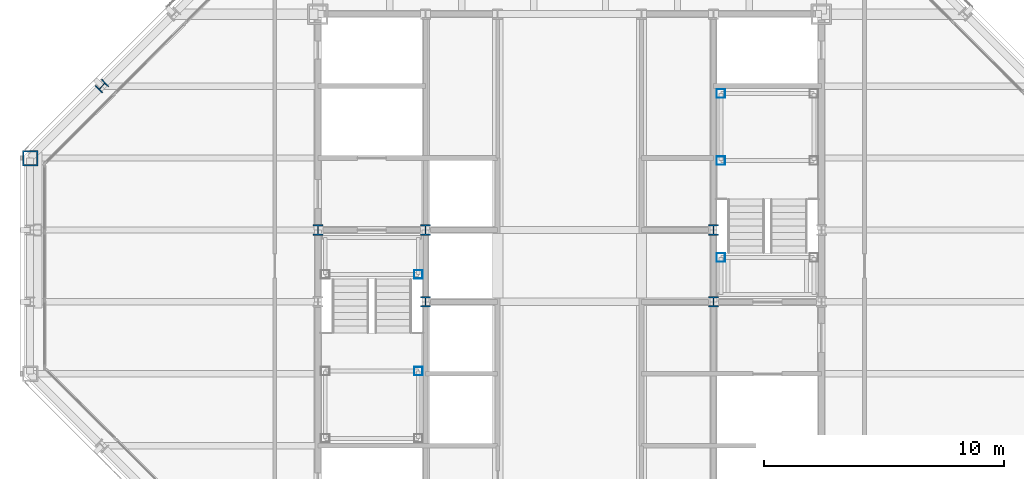
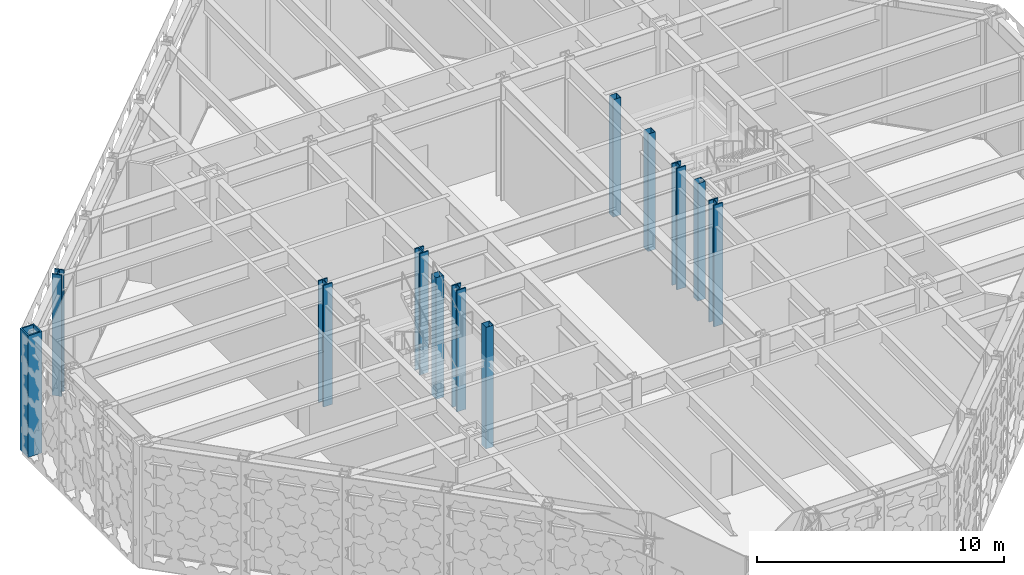
# One storey, part 2 of 28: 12 columns.
"""IFC4 building model written with IfcOpenShell, lengths in metres."""

import ifcopenshell
import ifcopenshell.guid

model = None  # the IFC model being written
_history = None  # IfcOwnerHistory: only IFC2X3 demands one
_inside = {}  # id of a spatial element -> (the spatial element, [elements in it])
_under = {}  # id of a project, library or spatial element -> (it, [spatial elements below it])
_declared = {}  # id of a project -> (the project, [libraries it declares])
_typed = {}  # id of a type object -> (the type object, [elements of that type])
_made_of = {}  # id of a material, layer set ... -> (it, [elements and type objects made of it])


def new_model(schema):
    """Start an empty IFC model of exactly this schema.

    Asked for "IFC4X3", IfcOpenShell would pick the latest addendum, in which some entities
    have other attributes; the version numbers below select the first issue.
    IFC2X3 requires an IfcOwnerHistory on every rooted entity: one is made here for all.
    """
    global model, _history
    if schema == "IFC4X3":
        model = ifcopenshell.file(schema_version=(4, 3, 0, 0))
    else:
        model = ifcopenshell.file(schema=schema)
    _inside.clear()
    _under.clear()
    _declared.clear()
    _typed.clear()
    _made_of.clear()
    _history = None
    if model.schema == "IFC2X3":
        org = make("IfcOrganization", Name="unknown")
        user = make(
            "IfcPersonAndOrganization",
            ThePerson=make("IfcPerson", FamilyName="unknown"),
            TheOrganization=org,
        )
        app = make(
            "IfcApplication",
            ApplicationDeveloper=org,
            Version="unknown",
            ApplicationFullName="unknown",
            ApplicationIdentifier="unknown",
        )
        _history = make(
            "IfcOwnerHistory",
            OwningUser=user,
            OwningApplication=app,
            ChangeAction="ADDED",
            CreationDate=0,
        )
    return model


def make(cls, **values):
    """One entity of the class cls with the attributes given. An attribute that is None is left unset."""
    return model.create_entity(
        cls, **{name: value for name, value in values.items() if value is not None}
    )


def rooted(cls, **values):
    """An entity with a GlobalId (a new one), such as an element, a storey or a relation."""
    return make(cls, GlobalId=ifcopenshell.guid.new(), OwnerHistory=_history, **values)


def si_unit(unit_type, name, prefix=None):
    """IfcSIUnit, for example si_unit("LENGTHUNIT", "METRE", prefix="MILLI")."""
    return make("IfcSIUnit", UnitType=unit_type, Prefix=prefix, Name=name)


def assignment(units):
    """IfcUnitAssignment: the units of a project."""
    return None if units is None else make("IfcUnitAssignment", Units=units)


def point(xyz):
    """IfcCartesianPoint."""
    return None if xyz is None else make("IfcCartesianPoint", Coordinates=xyz)


def direction(xyz):
    """IfcDirection."""
    return None if xyz is None else make("IfcDirection", DirectionRatios=xyz)


def frame(location, z_axis=None, x_axis=None):
    """IfcAxis2Placement3D, a coordinate frame: its origin and axes. An axis left out is left unset."""
    return make(
        "IfcAxis2Placement3D",
        Location=point(location),
        Axis=direction(z_axis),
        RefDirection=direction(x_axis),
    )


def frame_2d(location, x_axis=None):
    """IfcAxis2Placement2D, a coordinate frame in the plane: its origin and x axis."""
    return make(
        "IfcAxis2Placement2D", Location=point(location), RefDirection=direction(x_axis)
    )


def origin():
    """The frame at (0, 0, 0) with its axes left unset."""
    return frame((0.0, 0.0, 0.0))


def origin_2d():
    """The frame at (0, 0) in the plane with its x axis left unset."""
    return frame_2d((0.0, 0.0))


def place(relative_to, where):
    """IfcLocalPlacement: puts the frame where relative to a parent placement (None: the world)."""
    return make(
        "IfcLocalPlacement", PlacementRelTo=relative_to, RelativePlacement=where
    )


def context(
    kind, dimensions, precision=None, world=None, true_north=None, identifier=None
):
    """IfcGeometricRepresentationContext, for example the 3D "Model" context."""
    return make(
        "IfcGeometricRepresentationContext",
        ContextIdentifier=identifier,
        ContextType=kind,
        CoordinateSpaceDimension=dimensions,
        Precision=precision,
        WorldCoordinateSystem=world,
        TrueNorth=true_north,
    )


def subcontext(parent, identifier, kind, view, scale=None):
    """IfcGeometricRepresentationSubContext, for example "Body" below "Model"."""
    return make(
        "IfcGeometricRepresentationSubContext",
        ContextIdentifier=identifier,
        ContextType=kind,
        ParentContext=parent,
        TargetScale=scale,
        TargetView=view,
    )


def project(units=None, contexts=None):
    """IfcProject with its units and contexts."""
    return rooted(
        "IfcProject",
        Name="project",
        RepresentationContexts=contexts,
        UnitsInContext=assignment(units),
    )


def spatial(cls, under=None, at=None, **own):
    """A site, building, storey or space (cls), placed at a placement, below another one or the project."""
    s = rooted(cls, ObjectPlacement=at, **own)
    if under is not None:
        _under.setdefault(under.id(), (under, []))[1].append(s)
    return s


def profile(cls, at=None, kind="AREA", **sizes):
    """A parametric profile (cls). Its sizes go by their IFC names, for example OverallWidth=200.0."""
    return make(cls, ProfileType=kind, Position=at, **sizes)


def hollow_rectangle(**sizes):
    """IfcRectangleHollowProfileDef."""
    return profile("IfcRectangleHollowProfileDef", **sizes)


def i_section(**sizes):
    """IfcIShapeProfileDef."""
    return profile("IfcIShapeProfileDef", **sizes)


def extrude(swept, where, along, depth):
    """IfcExtrudedAreaSolid: the profile swept, set in the frame where, extruded along a direction by depth."""
    return make(
        "IfcExtrudedAreaSolid",
        SweptArea=swept,
        Position=where,
        ExtrudedDirection=direction(along),
        Depth=depth,
    )


def shape(context_of_items, identifier, shape_type, items):
    """IfcShapeRepresentation: the items that make up one representation, for example the "Body"."""
    return make(
        "IfcShapeRepresentation",
        ContextOfItems=context_of_items,
        RepresentationIdentifier=identifier,
        RepresentationType=shape_type,
        Items=items,
    )


def material(Name=None, Category=None):
    """IfcMaterial."""
    return make("IfcMaterial", Name=Name, Category=Category)


def material_profile(
    of_material, cross_section, Name=None, Category=None, Priority=None
):
    """IfcMaterialProfile: a cross section and its material."""
    return make(
        "IfcMaterialProfile",
        Name=Name,
        Material=of_material,
        Profile=cross_section,
        Priority=Priority,
        Category=Category,
    )


def profile_set(profiles, Name=None, composite=None):
    """IfcMaterialProfileSet."""
    return make(
        "IfcMaterialProfileSet",
        Name=Name,
        MaterialProfiles=profiles,
        CompositeProfile=composite,
    )


def made_of(thing, what):
    """Note that an element or type object is made of a material, layer set ...; save() writes the relation."""
    if what is not None:
        _made_of.setdefault(what.id(), (what, []))[1].append(thing)
    return thing


def type_object(cls, material=None, **own):
    """A type object (cls), such as IfcWallType, which elements share."""
    return made_of(rooted(cls, **own), material)


def element(
    cls,
    number,
    at=None,
    inside=None,
    cuts=None,
    type_object=None,
    material=None,
    context=None,
    identifier="Body",
    shape_type=None,
    held_by="IfcProductDefinitionShape",
    body=None,
    shapes=None,
    **own,
):
    """One element of the class cls, such as IfcWall. Its Tag is "e" and its number.

    at: its placement. inside: the storey or other place that contains it. cuts: it is an
    opening in that element (IfcRelVoidsElement). A single representation is given by context,
    identifier, shape_type and body (its items); several are given by shapes. held_by: the class
    of the entity that holds the representations. save() writes the other relations.
    """
    e = rooted(cls, Tag="e%d" % number, ObjectPlacement=at, **own)
    if body is not None:
        shapes = [shape(context, identifier, shape_type, body)]
    if shapes is not None:
        e.Representation = make(held_by, Representations=shapes)
    if inside is not None:
        _inside.setdefault(inside.id(), (inside, []))[1].append(e)
    if cuts is not None:
        rooted(
            "IfcRelVoidsElement", RelatingBuildingElement=cuts, RelatedOpeningElement=e
        )
    if type_object is not None:
        _typed.setdefault(type_object.id(), (type_object, []))[1].append(e)
    return made_of(e, material)


def aggregate(whole, parts):
    """IfcRelAggregates: a whole, such as a stair, and the parts it consists of."""
    return rooted("IfcRelAggregates", RelatingObject=whole, RelatedObjects=parts)


def save(model, path):
    """Write the relations noted so far, then the file.

    IfcRelAggregates (storeys below a building ...), IfcRelContainedInSpatialStructure (elements
    in a storey), IfcRelDefinesByType, IfcRelAssociatesMaterial and IfcRelDeclares: one each for
    every whole, place, type object, material and project.
    """
    for whole, parts in _under.values():
        aggregate(whole, parts)
    for where, things in _inside.values():
        rooted(
            "IfcRelContainedInSpatialStructure",
            RelatedElements=things,
            RelatingStructure=where,
        )
    for kind, things in _typed.values():
        rooted("IfcRelDefinesByType", RelatedObjects=things, RelatingType=kind)
    for what, things in _made_of.values():
        rooted("IfcRelAssociatesMaterial", RelatedObjects=things, RelatingMaterial=what)
    for by, libraries in _declared.values():
        rooted("IfcRelDeclares", RelatingContext=by, RelatedDefinitions=libraries)
    model.write(path)


model = new_model("IFC4")

# Units and contexts
model_context = context("Model", 3, precision=1e-05, world=origin(), true_north=direction((0.0, 1.0)))
body_context = subcontext(model_context, "Body", "Model", "MODEL_VIEW")
ifc_project = project(units=[si_unit("LENGTHUNIT", "METRE"), si_unit("AREAUNIT", "SQUARE_METRE"), si_unit("VOLUMEUNIT", "CUBIC_METRE"), si_unit("PLANEANGLEUNIT", "RADIAN"), si_unit("MASSUNIT", "GRAM", prefix="KILO")], contexts=[model_context])

# Site, building, storey
site_placement = place(None, origin())
site = spatial("IfcSite", under=ifc_project, at=site_placement, CompositionType="ELEMENT")
building_placement = place(site_placement, origin())
building = spatial("IfcBuilding", under=site, at=building_placement, Name="Chuquiago Exchange Tower", CompositionType="ELEMENT")
storey_placement = place(building_placement, frame((0.0, 0.0, 300.0)))
storey = spatial("IfcBuildingStorey", under=building, at=storey_placement, Name="L67", CompositionType="ELEMENT", Elevation=300.0)

# Columns
ifc_material_1 = material(Name="Steel ASTM A992", Category="steel")
ifc_material_profile_1 = material_profile(ifc_material_1, i_section(OverallWidth=0.41650390625, OverallDepth=0.444580078125, WebThickness=0.0390625, FlangeThickness=0.062744140625, at=origin_2d()), Name="W14X342")
ifc_profile_set_1 = profile_set([ifc_material_profile_1], Name="Steel ASTM A992")
column_type_1 = type_object("IfcColumnType", Name="CC9 W14X342", PredefinedType="COLUMN", material=ifc_profile_set_1)
for number, where, z_axis, x_axis, name in (
    (1, (12.0, 24.0, 0.0), (0.0, 0.0, 1.0), (1.0, 0.0, 0.0), "CCOL-L67-12_24"),
    (2, (16.5, 21.0, 0.0), (0.0, 0.0, 1.0), (1.0, 0.0, 0.0), "CCOL-L67-16.5_21"),
    (3, (16.5, 24.0, 0.0), (0.0, 0.0, 1.0), (1.0, 0.0, 0.0), "CCOL-L67-16.5_24"),
    (4, (28.5, 21.0, 0.0), (0.0, 0.0, 1.0), (1.0, 0.0, 0.0), "CCOL-L67-28.5_21"),
    (5, (28.5, 24.0, 0.0), (0.0, 0.0, 1.0), (1.0, 0.0, 0.0), "CCOL-L67-28.5_24"),
):
    element("IfcColumn", number, at=place(storey_placement, frame(where, z_axis=z_axis, x_axis=x_axis)), inside=storey, type_object=column_type_1, Name=name, PredefinedType="COLUMN", context=body_context, shape_type="SweptSolid", body=[
        extrude(i_section(OverallWidth=0.41650390625, OverallDepth=0.444580078125, WebThickness=0.0390625, FlangeThickness=0.062744140625, at=origin_2d()), origin(), (0.0, 0.0, 1.0), 6.0),
    ])
ifc_material_2 = material(Name="Steel ASTM A992", Category="steel")
ifc_material_profile_2 = material_profile(ifc_material_2, i_section(OverallWidth=0.40380859375, OverallDepth=0.406494140625, WebThickness=0.027099609375, FlangeThickness=0.043701171875, at=origin_2d()), Name="W14X233")
ifc_profile_set_2 = profile_set([ifc_material_profile_2], Name="Steel ASTM A992")
column_type_2 = type_object("IfcColumnType", Name="CK8 W14X233", PredefinedType="COLUMN", material=ifc_profile_set_2)
column_1_placement = place(storey_placement, frame((3.0, 30.0, 0.0), z_axis=(0.0, 0.0, 1.0), x_axis=(-0.707106781187, 0.707106781187, 0.0)))
element("IfcColumn", 6, at=column_1_placement, inside=storey, type_object=column_type_2, Name="COL-L67-3_30", PredefinedType="COLUMN", context=body_context, shape_type="SweptSolid", body=[
    extrude(i_section(OverallWidth=0.40380859375, OverallDepth=0.406494140625, WebThickness=0.027099609375, FlangeThickness=0.043701171875, at=origin_2d()), origin(), (0.0, 0.0, 1.0), 6.0),
])
ifc_material_3 = material(Name="Steel ASTM A572 Grade 50", Category="steel")
ifc_material_profile_3 = material_profile(ifc_material_3, hollow_rectangle(XDim=0.64990234375, YDim=0.64990234375, WallThickness=0.06494140625, at=origin_2d()), Name="BOX650X650X65")
ifc_profile_set_3 = profile_set([ifc_material_profile_3], Name="Steel ASTM A572 Grade 50")
column_type_3 = type_object("IfcColumnType", Name="CN2 BOX650X650X65", PredefinedType="COLUMN", material=ifc_profile_set_3)
column_2_placement = place(storey_placement, frame((0.0, 27.0, 0.0), z_axis=(0.0, 0.0, 1.0), x_axis=(-1.0, 0.0, 0.0)))
element("IfcColumn", 7, at=column_2_placement, inside=storey, type_object=column_type_3, Name="COL-L67-0_27", PredefinedType="COLUMN", context=body_context, shape_type="SweptSolid", body=[
    extrude(hollow_rectangle(XDim=0.64990234375, YDim=0.64990234375, WallThickness=0.06494140625, at=origin_2d()), origin(), (0.0, 0.0, 1.0), 6.0),
])
ifc_material_4 = material(Name="Steel ASTM A500 Grade C", Category="steel")
ifc_material_profile_4 = material_profile(ifc_material_4, hollow_rectangle(XDim=0.355712890625, YDim=0.355712890625, WallThickness=0.0087890625, at=origin_2d()), Name="HSS14X14X3/8")
ifc_profile_set_4 = profile_set([ifc_material_profile_4], Name="Steel ASTM A500 Grade C")
column_type_4 = type_object("IfcColumnType", Name="PT1 HSS14X14X3/8", PredefinedType="COLUMN", material=ifc_profile_set_4)
for number, where, z_axis, x_axis, name in (
    (8, (16.18994140625, 18.110107421875, 0.0), (0.0, 0.0, 1.0), (1.0, 0.0, 0.0), "Stair ST1 L67 landing post"),
    (9, (16.18994140625, 22.14990234375, 0.0), (0.0, 0.0, 1.0), (1.0, 0.0, 0.0), "Stair ST1 L67 landing post"),
):
    element("IfcColumn", number, at=place(storey_placement, frame(where, z_axis=z_axis, x_axis=x_axis)), inside=storey, type_object=column_type_4, Name=name, PredefinedType="COLUMN", context=body_context, shape_type="SweptSolid", body=[
        extrude(hollow_rectangle(XDim=0.355712890625, YDim=0.355712890625, WallThickness=0.0087890625, at=origin_2d()), origin(), (0.0, 0.0, 1.0), 6.0),
    ])
for number, where, z_axis, x_axis, name in (
    (10, (28.81005859375, 29.68994140625, 0.0), (0.0, 0.0, 1.0), (1.0, 0.0, 0.0), "Stair ST2 L67 landing post"),
    (11, (28.81005859375, 26.889892578125, 0.0), (0.0, 0.0, 1.0), (1.0, 0.0, 0.0), "Stair ST2 L67 landing post"),
    (12, (28.81005859375, 22.85009765625, 0.0), (0.0, 0.0, 1.0), (1.0, 0.0, 0.0), "Stair ST2 L67 landing post"),
):
    element("IfcColumn", number, at=place(storey_placement, frame(where, z_axis=z_axis, x_axis=x_axis)), inside=storey, type_object=column_type_4, Name=name, PredefinedType="COLUMN", context=body_context, shape_type="SweptSolid", body=[
        extrude(hollow_rectangle(XDim=0.355712890625, YDim=0.355712890625, WallThickness=0.0087890625, at=origin_2d()), origin(), (0.0, 0.0, 1.0), 5.800048828125),
    ])

save(model, "model.ifc")
